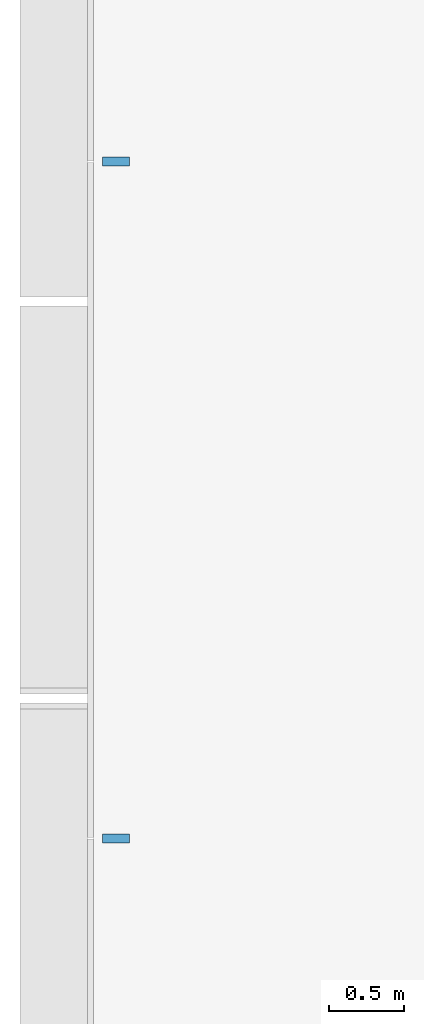
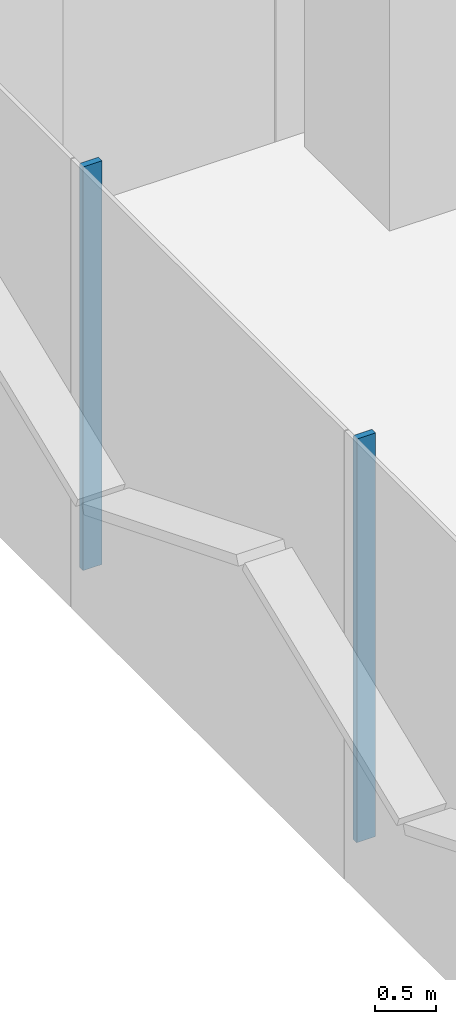
# One storey, part 4 of 22: 2 members, 1 element without a shape of its own.
"""IFC4 building model written with IfcOpenShell, lengths in metres."""

from ifc_helpers import new_model, si_unit, direction, frame, origin, origin_2d, place, context, subcontext, project, spatial, rectangle, extrude, material, layer, layer_set, material_profile, profile_set, type_object, element, aggregate, save


model = new_model("IFC4")

# Units and contexts
model_context = context("Model", 3, precision=1e-05, world=origin(), true_north=direction((0.0, 1.0)))
body_context = subcontext(model_context, "Body", "Model", "MODEL_VIEW")
ifc_project = project(units=[si_unit("LENGTHUNIT", "METRE"), si_unit("AREAUNIT", "SQUARE_METRE"), si_unit("VOLUMEUNIT", "CUBIC_METRE"), si_unit("PLANEANGLEUNIT", "RADIAN"), si_unit("MASSUNIT", "GRAM", prefix="KILO")], contexts=[model_context])

# Site, building, storey
site_placement = place(None, origin())
site = spatial("IfcSite", under=ifc_project, at=site_placement, CompositionType="ELEMENT")
building_placement = place(site_placement, origin())
building = spatial("IfcBuilding", under=site, at=building_placement, Name="Shamsa Quay Exchange Towers", CompositionType="ELEMENT")
storey_placement = place(building_placement, frame((0.0, 0.0, 33.0)))
storey = spatial("IfcBuildingStorey", under=building, at=storey_placement, Name="L06", CompositionType="ELEMENT", Elevation=33.0)

# Curtain wall, members
ifc_material = material(Name="Aluminium EN AW-6063 T6, black anodised", Category="aluminium")
ifc_layer = layer(ifc_material, 0.280029296875)
ifc_layer_set = layer_set([ifc_layer], Name="CW-1 UNITISED VISION GLASS")
curtain_wall_type = type_object("IfcCurtainWallType", Name="CW-1 UNITISED VISION GLASS", PredefinedType="NOTDEFINED", material=ifc_layer_set)
curtain_wall_placement = place(storey_placement, origin())
curtain_wall = element("IfcCurtainWall", 1, at=curtain_wall_placement, inside=storey, type_object=curtain_wall_type, Name="CW1 T1-END-U- L06", PredefinedType="NOTDEFINED")
ifc_material_profile = material_profile(ifc_material, rectangle(XDim=0.179931640625, YDim=0.06005859375, at=origin_2d()), Name="MU60x180")
ifc_profile_set = profile_set([ifc_material_profile], Name="Aluminium EN AW-6063 T6, black anodised")
member_type = type_object("IfcMemberType", Name="CW1 MULLION 60x180", PredefinedType="MULLION", material=ifc_profile_set)
member_1_placement = place(storey_placement, frame((-62.85009765625, 2.25, 0.0)))
member_1 = element("IfcMember", 2, at=member_1_placement, type_object=member_type, Name="CW1 mullion", PredefinedType="MULLION", context=body_context, shape_type="SweptSolid", body=[
    extrude(rectangle(XDim=0.179931640625, YDim=0.06005859375, at=origin_2d()), origin(), (0.0, 0.0, 1.0), 4.050048828125),
])
member_2_placement = place(storey_placement, frame((-62.85009765625, -2.25, 0.0)))
member_2 = element("IfcMember", 3, at=member_2_placement, type_object=member_type, Name="CW1 mullion", PredefinedType="MULLION", context=body_context, shape_type="SweptSolid", body=[
    extrude(rectangle(XDim=0.179931640625, YDim=0.06005859375, at=origin_2d()), origin(), (0.0, 0.0, 1.0), 4.050048828125),
])
aggregate(curtain_wall, [member_1, member_2])

save(model, "model.ifc")
